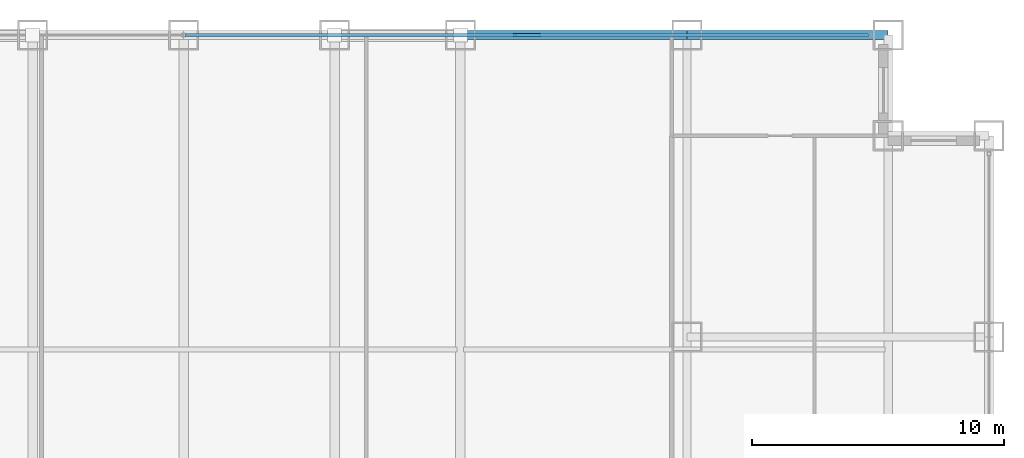
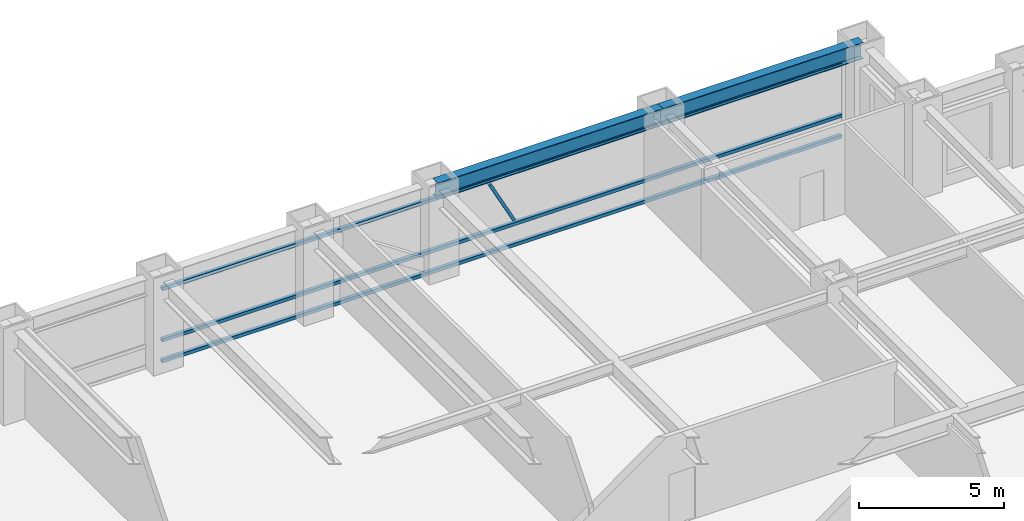
# One storey, part 20 of 28: 4 members, 2 beams, 1 element without a shape of its own.
"""IFC4 building model written with IfcOpenShell, lengths in metres."""

from ifc_helpers import new_model, si_unit, direction, frame, origin, origin_2d, place, context, subcontext, project, spatial, hollow_rectangle, i_section, extrude, source, transform, mapped, material, material_profile, profile_set, type_object, element, aggregate, save


model = new_model("IFC4")

# Units and contexts
model_context = context("Model", 3, precision=1e-05, world=origin(), true_north=direction((0.0, 1.0)))
body_context = subcontext(model_context, "Body", "Model", "MODEL_VIEW")
ifc_project = project(units=[si_unit("LENGTHUNIT", "METRE"), si_unit("AREAUNIT", "SQUARE_METRE"), si_unit("VOLUMEUNIT", "CUBIC_METRE"), si_unit("PLANEANGLEUNIT", "RADIAN"), si_unit("MASSUNIT", "GRAM", prefix="KILO")], contexts=[model_context])

# Site, building, storey
site_placement = place(None, origin())
site = spatial("IfcSite", under=ifc_project, at=site_placement, CompositionType="ELEMENT")
building_placement = place(site_placement, origin())
building = spatial("IfcBuilding", under=site, at=building_placement, Name="Khorayat Bourse Tower", CompositionType="ELEMENT")
storey_placement = place(building_placement, frame((0.0, 0.0, 120.10009765625)))
storey = spatial("IfcBuildingStorey", under=building, at=storey_placement, Name="L27", CompositionType="ELEMENT", Elevation=120.10009765625)

# Beams
ifc_material_1 = material(Name="Steel ASTM A992 Grade 50", Category="steel")
ifc_material_profile_1 = material_profile(ifc_material_1, i_section(OverallWidth=0.35498046875, OverallDepth=0.695068359375, WebThickness=0.015380859375, FlangeThickness=0.02490234375, FilletRadius=0.01806640625, at=origin_2d()), Name="W690X217")
ifc_profile_set_1 = profile_set([ifc_material_profile_1], Name="Steel ASTM A992 Grade 50")
beam_type = type_object("IfcBeamType", Name="BM-SPAN-690", PredefinedType="SPANDREL", material=ifc_profile_set_1)
shared_shape_1 = source(origin(), body_context, "Body", "SweptSolid", [
    extrude(i_section(OverallWidth=0.35498046875, OverallDepth=0.695068359375, WebThickness=0.015380859375, FlangeThickness=0.02490234375, FilletRadius=0.01806640625, at=origin_2d()), origin(), (0.0, 0.0, 1.0), 9.0),
])
beam_1_placement = place(storey_placement, frame((11.0, 32.0, 3.492431640625), z_axis=(1.0, 0.0, 0.0), x_axis=(0.0, 1.0, 0.0)))
element("IfcBeam", 1, at=beam_1_placement, inside=storey, type_object=beam_type, Name="L27 BM-SPAN-690 BM-L27-SPN-045", PredefinedType="SPANDREL", context=body_context, shape_type="MappedRepresentation", body=[
    mapped(shared_shape_1, transform((0.0, 0.0, 0.0), scale=1.0)),
])
shared_shape_2 = source(origin(), body_context, "Body", "SweptSolid", [
    extrude(i_section(OverallWidth=0.35498046875, OverallDepth=0.695068359375, WebThickness=0.015380859375, FlangeThickness=0.02490234375, FilletRadius=0.01806640625, at=origin_2d()), origin(), (0.0, 0.0, 1.0), 8.0),
])
beam_2_placement = place(storey_placement, frame((20.0, 32.0, 3.492431640625), z_axis=(1.0, 0.0, 0.0), x_axis=(0.0, 1.0, 0.0)))
element("IfcBeam", 2, at=beam_2_placement, inside=storey, type_object=beam_type, Name="L27 BM-SPAN-690 BM-L27-SPN-044", PredefinedType="SPANDREL", context=body_context, shape_type="MappedRepresentation", body=[
    mapped(shared_shape_2, transform((0.0, 0.0, 0.0), scale=1.0)),
])

# Curtain wall, members
ifc_material_2 = material(Name="Aluminium EN AW-6063 T6", Category="aluminium")
curtain_wall_type = type_object("IfcCurtainWallType", Name="CW-SYS-02", PredefinedType="NOTDEFINED", material=ifc_material_2)
curtain_wall_placement = place(storey_placement, origin())
curtain_wall = element("IfcCurtainWall", 3, at=curtain_wall_placement, inside=storey, type_object=curtain_wall_type, Name="L27 Curtain Wall CW-L27-N1", PredefinedType="NOTDEFINED")
ifc_material_profile_2 = material_profile(ifc_material_2, hollow_rectangle(XDim=0.139892578125, YDim=0.139892578125, WallThickness=0.006103515625, at=origin_2d()), Name="ALU 140x140x6")
ifc_profile_set_2 = profile_set([ifc_material_profile_2], Name="Aluminium EN AW-6063 T6")
member_type_1 = type_object("IfcMemberType", Name="CWT-HORZ-140", PredefinedType="USERDEFINED", material=ifc_profile_set_2)
shared_shape_3 = source(origin(), body_context, "Body", "SweptSolid", [
    extrude(hollow_rectangle(XDim=0.139892578125, YDim=0.139892578125, WallThickness=0.006103515625, at=origin_2d()), origin(), (0.0, 0.0, 1.0), 27.139892578125),
])
member_1_placement = place(storey_placement, frame((0.070068359375, 32.0, 0.06982421875), z_axis=(1.0, 0.0, 0.0), x_axis=(0.0, 1.0, 0.0)))
member_1 = element("IfcMember", 4, at=member_1_placement, type_object=member_type_1, Name="CW-L27-N1 Horizontal Transom 2-1", ObjectType="TRANSOM", PredefinedType="USERDEFINED", context=body_context, shape_type="MappedRepresentation", body=[
    mapped(shared_shape_3, transform((0.0, 0.0, 0.0), scale=1.0)),
])
member_2_placement = place(storey_placement, frame((0.070068359375, 32.0, 0.949951171875), z_axis=(1.0, 0.0, 0.0), x_axis=(0.0, 1.0, 0.0)))
member_2 = element("IfcMember", 5, at=member_2_placement, type_object=member_type_1, Name="CW-L27-N1 Horizontal Transom 2-2", ObjectType="TRANSOM", PredefinedType="USERDEFINED", context=body_context, shape_type="MappedRepresentation", body=[
    mapped(shared_shape_3, transform((0.0, 0.0, 0.0), scale=1.0)),
])
member_3_placement = place(storey_placement, frame((0.070068359375, 32.0, 3.119873046875), z_axis=(1.0, 0.0, 0.0), x_axis=(0.0, 1.0, 0.0)))
member_3 = element("IfcMember", 6, at=member_3_placement, type_object=member_type_1, Name="CW-L27-N1 Horizontal Transom 2-3", ObjectType="TRANSOM", PredefinedType="USERDEFINED", context=body_context, shape_type="MappedRepresentation", body=[
    mapped(shared_shape_3, transform((0.0, 0.0, 0.0), scale=1.0)),
])
ifc_material_profile_3 = material_profile(ifc_material_2, hollow_rectangle(XDim=0.1201171875, YDim=0.1201171875, WallThickness=0.0048828125, at=origin_2d()), Name="ALU 120x120x5")
ifc_profile_set_3 = profile_set([ifc_material_profile_3], Name="Aluminium EN AW-6063 T6")
member_type_2 = type_object("IfcMemberType", Name="CWM-DIAG-120", PredefinedType="MULLION", material=ifc_profile_set_3)
shared_shape_4 = source(origin(), body_context, "Body", "SweptSolid", [
    extrude(hollow_rectangle(XDim=0.1201171875, YDim=0.1201171875, WallThickness=0.0048828125, at=origin_2d()), origin(), (0.0, 0.0, 1.0), 2.11328125),
])
member_4_placement = place(storey_placement, frame((14.132080078125, 32.0, 1.099853515625), z_axis=(-0.465694055905, 0.0, 0.884945787207), x_axis=(0.0, -1.0, 0.0)))
member_4 = element("IfcMember", 7, at=member_4_placement, type_object=member_type_2, Name="CW-L27-N1 Faceted Diagonal Mullion 2", PredefinedType="MULLION", context=body_context, shape_type="MappedRepresentation", body=[
    mapped(shared_shape_4, transform((0.0, 0.0, 0.0), scale=1.0)),
])
aggregate(curtain_wall, [member_1, member_2, member_3, member_4])

save(model, "model.ifc")
